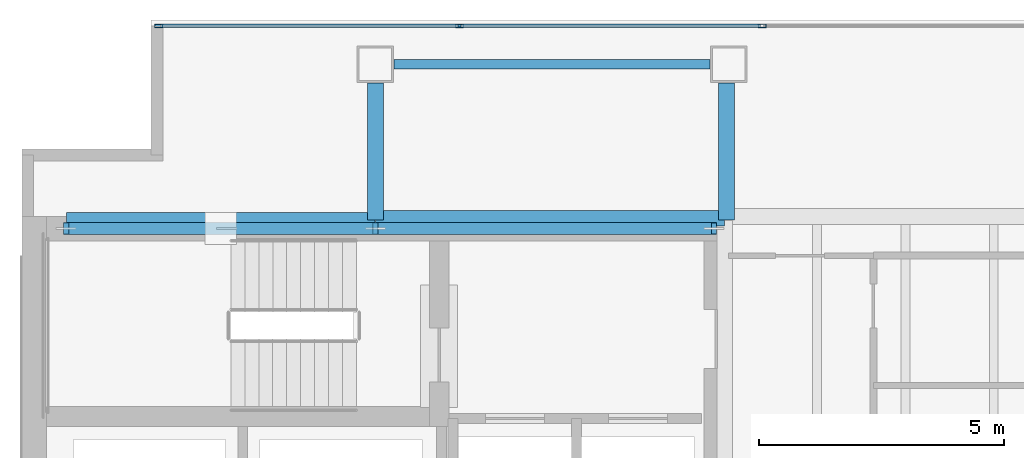
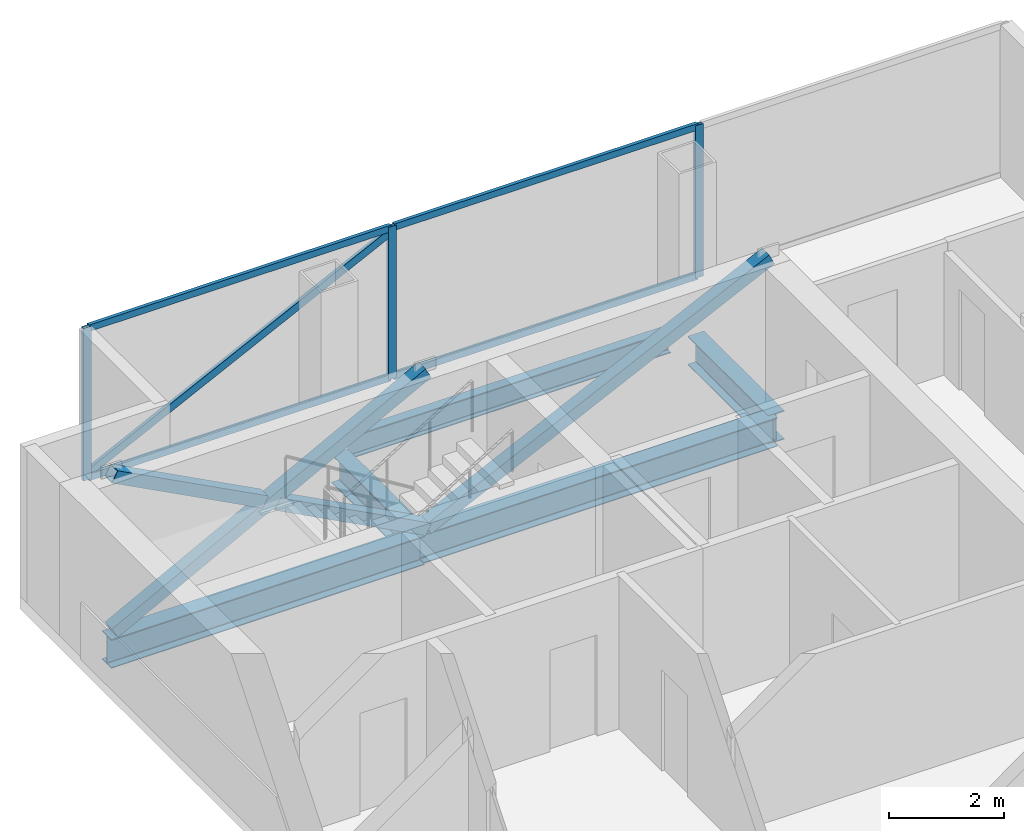
# One storey, part 17 of 23: 12 members, 5 beams, 1 element without a shape of its own.
"""IFC4 building model written with IfcOpenShell, lengths in metres."""

from ifc_helpers import new_model, si_unit, direction, frame, origin, origin_2d, place, context, subcontext, project, spatial, hollow_rectangle, i_section, extrude, material, material_profile, profile_set, type_object, element, aggregate, save


model = new_model("IFC4")

# Units and contexts
model_context = context("Model", 3, precision=1e-05, world=origin(), true_north=direction((0.0, 1.0)))
body_context = subcontext(model_context, "Body", "Model", "MODEL_VIEW")
ifc_project = project(units=[si_unit("LENGTHUNIT", "METRE"), si_unit("AREAUNIT", "SQUARE_METRE"), si_unit("VOLUMEUNIT", "CUBIC_METRE"), si_unit("PLANEANGLEUNIT", "RADIAN"), si_unit("MASSUNIT", "GRAM", prefix="KILO")], contexts=[model_context])

# Site, building, storey
site_placement = place(None, origin())
site = spatial("IfcSite", under=ifc_project, at=site_placement, CompositionType="ELEMENT")
building_placement = place(site_placement, origin())
building = spatial("IfcBuilding", under=site, at=building_placement, Name="Cobrela Telecom Tower", CompositionType="ELEMENT")
storey_placement = place(building_placement, frame((0.0, 0.0, 215.25)))
storey = spatial("IfcBuildingStorey", under=building, at=storey_placement, Name="L55", CompositionType="ELEMENT", Elevation=215.25)

# Beams
ifc_material_1 = material(Name="Steel ASTM A992 Grade 50", Category="steel")
ifc_material_profile_1 = material_profile(ifc_material_1, i_section(OverallWidth=0.324951171875, OverallDepth=0.612060546875, WebThickness=0.0126953125, FlangeThickness=0.01904296875, FilletRadius=0.014892578125, at=origin_2d()), Name="W24X104")
ifc_profile_set_1 = profile_set([ifc_material_profile_1], Name="Steel ASTM A992 Grade 50")
beam_type_1 = type_object("IfcBeamType", Name="BM-GIRD-07", PredefinedType="USERDEFINED", material=ifc_profile_set_1)
beam_1_placement = place(storey_placement, frame((0.905029296875, 35.919921875, -0.56591796875), z_axis=(1.0, 0.0, 0.0), x_axis=(0.0, 1.0, 0.0)))
element("IfcBeam", 1, at=beam_1_placement, inside=storey, type_object=beam_type_1, Name="L55 Primary Girder X20", ObjectType="GIRDER", PredefinedType="USERDEFINED", context=body_context, shape_type="SweptSolid", body=[
    extrude(i_section(OverallWidth=0.324951171875, OverallDepth=0.612060546875, WebThickness=0.0126953125, FlangeThickness=0.01904296875, FilletRadius=0.014892578125, at=origin_2d()), origin(), (0.0, 0.0, 1.0), 6.2900390625),
])
beam_2_placement = place(storey_placement, frame((7.205078125, 35.9599609375, -0.56591796875), z_axis=(1.0, 0.0, 0.0), x_axis=(0.0, 1.0, 0.0)))
element("IfcBeam", 2, at=beam_2_placement, inside=storey, type_object=beam_type_1, Name="L55 Primary Girder X21", ObjectType="GIRDER", PredefinedType="USERDEFINED", context=body_context, shape_type="SweptSolid", body=[
    extrude(i_section(OverallWidth=0.324951171875, OverallDepth=0.612060546875, WebThickness=0.0126953125, FlangeThickness=0.01904296875, FilletRadius=0.014892578125, at=origin_2d()), origin(), (0.0, 0.0, 1.0), 7.10986328125),
])
for number, where, z_axis, x_axis, name in (
    (3, (7.199951171875, 35.925048828125, -0.56591796875), (0.0, 1.0, 0.0), (-1.0, 0.0, 0.0), "L55 Primary Girder Y25"),
    (4, (14.360107421875, 35.925048828125, -0.56591796875), (0.0, 1.0, 0.0), (-1.0, 0.0, 0.0), "L55 Primary Girder Y31"),
):
    element("IfcBeam", number, at=place(storey_placement, frame(where, z_axis=z_axis, x_axis=x_axis)), inside=storey, type_object=beam_type_1, Name=name, ObjectType="GIRDER", PredefinedType="USERDEFINED", context=body_context, shape_type="SweptSolid", body=[
        extrude(i_section(OverallWidth=0.324951171875, OverallDepth=0.612060546875, WebThickness=0.0126953125, FlangeThickness=0.01904296875, FilletRadius=0.014892578125, at=origin_2d()), origin(), (0.0, 0.0, 1.0), 2.794921875),
    ])
ifc_material_profile_2 = material_profile(ifc_material_1, i_section(OverallWidth=0.193115234375, OverallDepth=0.467041015625, WebThickness=0.011474609375, FlangeThickness=0.01904296875, FilletRadius=0.012939453125, at=origin_2d()), Name="W18X65")
ifc_profile_set_2 = profile_set([ifc_material_profile_2], Name="Steel ASTM A992 Grade 50")
beam_type_2 = type_object("IfcBeamType", Name="BM-SPAND-05", PredefinedType="SPANDREL", material=ifc_profile_set_2)
beam_3_placement = place(storey_placement, frame((7.580078125, 39.10009765625, -0.493408203125), z_axis=(1.0, 0.0, 0.0), x_axis=(0.0, 1.0, 0.0)))
element("IfcBeam", 5, at=beam_3_placement, inside=storey, type_object=beam_type_2, Name="L55 Perimeter Spandrel X23", PredefinedType="SPANDREL", context=body_context, shape_type="SweptSolid", body=[
    extrude(i_section(OverallWidth=0.193115234375, OverallDepth=0.467041015625, WebThickness=0.011474609375, FlangeThickness=0.01904296875, FilletRadius=0.012939453125, at=origin_2d()), origin(), (0.0, 0.0, 1.0), 6.43994140625),
])

# Curtain wall, members
ifc_material_2 = material(Name="Anodized Bronze Aluminium 6063-T6", Category="aluminium")
curtain_wall_type = type_object("IfcCurtainWallType", Name="CW-SYS-OFF-LO", PredefinedType="USERDEFINED", material=ifc_material_2)
curtain_wall_placement = place(storey_placement, origin())
curtain_wall = element("IfcCurtainWall", 6, at=curtain_wall_placement, inside=storey, type_object=curtain_wall_type, Name="L55 Unitised Bronze Curtain Wall 07", ObjectType="UNITISED CURTAIN WALL", PredefinedType="USERDEFINED")
ifc_material_profile_3 = material_profile(ifc_material_2, hollow_rectangle(XDim=0.070068359375, YDim=0.159912109375, WallThickness=0.00390625, at=origin_2d()), Name="ALU 70x160x4")
ifc_profile_set_3 = profile_set([ifc_material_profile_3], Name="Anodized Bronze Aluminium 6063-T6")
member_type_1 = type_object("IfcMemberType", Name="CW-SYS-OFF-LO-MUL", PredefinedType="MULLION", material=ifc_profile_set_3)
member_1_placement = place(storey_placement, frame((2.784912109375, 39.8798828125, 0.0), z_axis=(0.0, 0.0, 1.0), x_axis=(0.0, 1.0, 0.0)))
member_1 = element("IfcMember", 7, at=member_1_placement, type_object=member_type_1, Name="CW-OFF-LO mullion 1", PredefinedType="MULLION", context=body_context, shape_type="SweptSolid", body=[
    extrude(hollow_rectangle(XDim=0.070068359375, YDim=0.159912109375, WallThickness=0.00390625, at=origin_2d()), origin(), (0.0, 0.0, 1.0), 3.239990234375),
])
member_2_placement = place(storey_placement, frame((8.916748046875, 39.8798828125, 0.0), z_axis=(0.0, 0.0, 1.0), x_axis=(0.0, 1.0, 0.0)))
member_2 = element("IfcMember", 8, at=member_2_placement, type_object=member_type_1, Name="CW-OFF-LO mullion 2", PredefinedType="MULLION", context=body_context, shape_type="SweptSolid", body=[
    extrude(hollow_rectangle(XDim=0.070068359375, YDim=0.159912109375, WallThickness=0.00390625, at=origin_2d()), origin(), (0.0, 0.0, 1.0), 3.239990234375),
])
member_3_placement = place(storey_placement, frame((15.083251953125, 39.8798828125, 0.0), z_axis=(0.0, 0.0, 1.0), x_axis=(0.0, 1.0, 0.0)))
member_3 = element("IfcMember", 9, at=member_3_placement, type_object=member_type_1, Name="CW-OFF-LO mullion 3", PredefinedType="MULLION", context=body_context, shape_type="SweptSolid", body=[
    extrude(hollow_rectangle(XDim=0.070068359375, YDim=0.159912109375, WallThickness=0.00390625, at=origin_2d()), origin(), (0.0, 0.0, 1.0), 3.239990234375),
])
member_4_placement = place(storey_placement, frame((2.75, 39.8798828125, 0.10009765625), z_axis=(0.896948233911, 0.0, 0.442135573872), x_axis=(0.0, 1.0, 0.0)))
member_4 = element("IfcMember", 10, at=member_4_placement, type_object=member_type_1, Name="L55 Faceted Curtain Wall Diagonal Glazing Mullion", PredefinedType="MULLION", context=body_context, shape_type="SweptSolid", body=[
    extrude(hollow_rectangle(XDim=0.070068359375, YDim=0.159912109375, WallThickness=0.00390625, at=origin_2d()), origin(), (0.0, 0.0, 1.0), 6.875244140625),
])
ifc_material_profile_4 = material_profile(ifc_material_2, hollow_rectangle(XDim=0.070068359375, YDim=0.139892578125, WallThickness=0.00390625, at=origin_2d()), Name="ALU 70x140x4")
ifc_profile_set_4 = profile_set([ifc_material_profile_4], Name="Anodized Bronze Aluminium 6063-T6")
member_type_2 = type_object("IfcMemberType", Name="CW-SYS-OFF-LO-TRN", PredefinedType="USERDEFINED", material=ifc_profile_set_4)
member_5_placement = place(storey_placement, frame((2.820068359375, 39.8798828125, 0.034912109375), z_axis=(1.0, 0.0, 0.0), x_axis=(0.0, 1.0, 0.0)))
member_5 = element("IfcMember", 11, at=member_5_placement, type_object=member_type_2, Name="CW-OFF-LO transom 1.1", ObjectType="TRANSOM", PredefinedType="USERDEFINED", context=body_context, shape_type="SweptSolid", body=[
    extrude(hollow_rectangle(XDim=0.070068359375, YDim=0.139892578125, WallThickness=0.00390625, at=origin_2d()), origin(), (0.0, 0.0, 1.0), 6.0615234375),
])
member_6_placement = place(storey_placement, frame((2.820068359375, 39.8798828125, 3.205078125), z_axis=(1.0, 0.0, 0.0), x_axis=(0.0, 1.0, 0.0)))
member_6 = element("IfcMember", 12, at=member_6_placement, type_object=member_type_2, Name="CW-OFF-LO transom 1.2", ObjectType="TRANSOM", PredefinedType="USERDEFINED", context=body_context, shape_type="SweptSolid", body=[
    extrude(hollow_rectangle(XDim=0.070068359375, YDim=0.139892578125, WallThickness=0.00390625, at=origin_2d()), origin(), (0.0, 0.0, 1.0), 6.0615234375),
])
member_7_placement = place(storey_placement, frame((8.95166015625, 39.8798828125, 0.034912109375), z_axis=(1.0, 0.0, 0.0), x_axis=(0.0, 1.0, 0.0)))
member_7 = element("IfcMember", 13, at=member_7_placement, type_object=member_type_2, Name="CW-OFF-LO transom 2.1", ObjectType="TRANSOM", PredefinedType="USERDEFINED", context=body_context, shape_type="SweptSolid", body=[
    extrude(hollow_rectangle(XDim=0.070068359375, YDim=0.139892578125, WallThickness=0.00390625, at=origin_2d()), origin(), (0.0, 0.0, 1.0), 6.0966796875),
])
member_8_placement = place(storey_placement, frame((8.95166015625, 39.8798828125, 3.205078125), z_axis=(1.0, 0.0, 0.0), x_axis=(0.0, 1.0, 0.0)))
member_8 = element("IfcMember", 14, at=member_8_placement, type_object=member_type_2, Name="CW-OFF-LO transom 2.2", ObjectType="TRANSOM", PredefinedType="USERDEFINED", context=body_context, shape_type="SweptSolid", body=[
    extrude(hollow_rectangle(XDim=0.070068359375, YDim=0.139892578125, WallThickness=0.00390625, at=origin_2d()), origin(), (0.0, 0.0, 1.0), 6.0966796875),
])
aggregate(curtain_wall, [member_1, member_2, member_3, member_5, member_6, member_7, member_8, member_4])

# Members
ifc_material_3 = material(Name="Steel ASTM A572 Grade 50", Category="steel")
ifc_material_profile_5 = material_profile(ifc_material_3, hollow_rectangle(XDim=0.25, YDim=0.25, WallThickness=0.013916015625, at=origin_2d()), Name="HSS 250x250x14")
ifc_profile_set_5 = profile_set([ifc_material_profile_5], Name="Steel ASTM A572 Grade 50")
member_type_3 = type_object("IfcMemberType", Name="MBR-EXO-04", PredefinedType="BRACE", material=ifc_profile_set_5)
member_9_placement = place(storey_placement, frame((0.89990234375, 35.75, -0.0400390625), z_axis=(0.884671945606, 0.0, 0.466214058837), x_axis=(0.0, 1.0, 0.0)))
element("IfcMember", 15, at=member_9_placement, inside=storey, type_object=member_type_3, Name="L55 Core Flange Steel X-Brace Continuous A", PredefinedType="BRACE", context=body_context, shape_type="SweptSolid", body=[
    extrude(hollow_rectangle(XDim=0.25, YDim=0.25, WallThickness=0.013916015625, at=origin_2d()), origin(), (0.0, 0.0, 1.0), 7.121337890625),
])
for number, where, z_axis, x_axis, name in (
    (16, (7.199951171875, 35.75, -0.0400390625), (-0.884673479945, 0.0, 0.466211147317), (0.0, -1.0, 0.0), "L55 Core Flange Steel X-Brace Split B1"),
    (17, (3.926025390625, 35.75, 1.685302734375), (-0.884673479945, 0.0, 0.466211147317), (0.0, -1.0, 0.0), "L55 Core Flange Steel X-Brace Split B2"),
):
    element("IfcMember", number, at=place(storey_placement, frame(where, z_axis=z_axis, x_axis=x_axis)), inside=storey, type_object=member_type_3, Name=name, PredefinedType="BRACE", context=body_context, shape_type="SweptSolid", body=[
        extrude(hollow_rectangle(XDim=0.25, YDim=0.25, WallThickness=0.013916015625, at=origin_2d()), origin(), (0.0, 0.0, 1.0), 3.420654296875),
    ])
member_10_placement = place(storey_placement, frame((7.199951171875, 35.75, -0.0400390625), z_axis=(0.901115182893, 0.0, 0.43357978177), x_axis=(0.0, 1.0, 0.0)))
element("IfcMember", 18, at=member_10_placement, inside=storey, type_object=member_type_3, Name="L55 Core Flange Steel Brace N2", PredefinedType="BRACE", context=body_context, shape_type="SweptSolid", body=[
    extrude(hollow_rectangle(XDim=0.25, YDim=0.25, WallThickness=0.013916015625, at=origin_2d()), origin(), (0.0, 0.0, 1.0), 7.6572265625),
])

save(model, "model.ifc")
